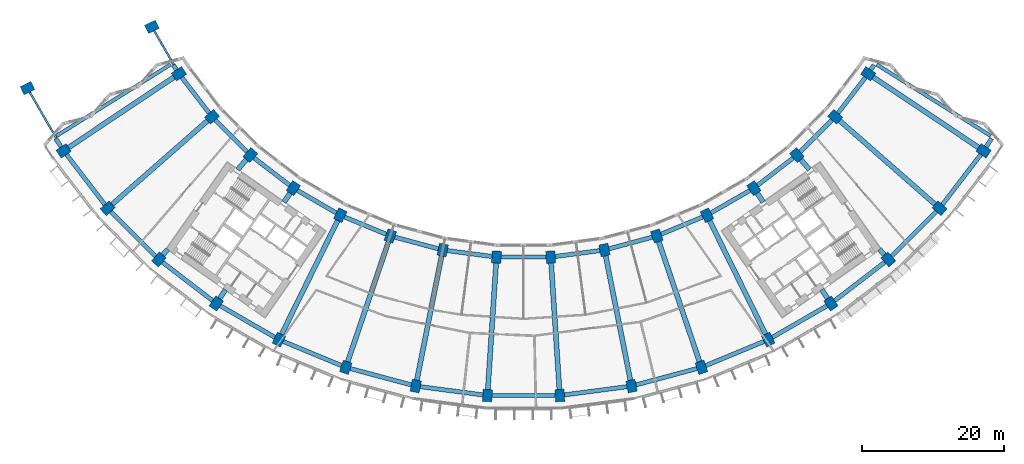
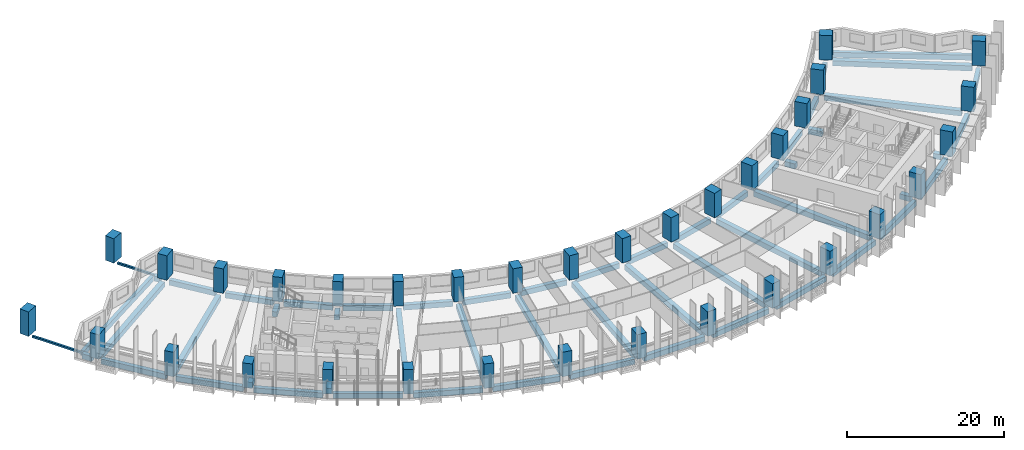
# One storey, part 1 of 31: 56 beams, 34 columns, 2 members.
"""IFC4 building model written with IfcOpenShell, lengths in metres."""

from ifc_helpers import new_model, si_unit, direction, frame, origin, origin_2d, place, context, subcontext, project, spatial, rectangle, hollow_rectangle, extrude, material, material_profile, profile_set, type_object, element, save


model = new_model("IFC4")

# Units and contexts
model_context = context("Model", 3, precision=1e-05, world=origin(), true_north=direction((0.0, 1.0)))
body_context = subcontext(model_context, "Body", "Model", "MODEL_VIEW")
ifc_project = project(units=[si_unit("LENGTHUNIT", "METRE"), si_unit("AREAUNIT", "SQUARE_METRE"), si_unit("VOLUMEUNIT", "CUBIC_METRE"), si_unit("PLANEANGLEUNIT", "RADIAN"), si_unit("MASSUNIT", "GRAM", prefix="KILO")], contexts=[model_context])

# Site, building, storey
site_placement = place(None, origin())
site = spatial("IfcSite", under=ifc_project, at=site_placement, CompositionType="ELEMENT")
building_placement = place(site_placement, origin())
building = spatial("IfcBuilding", under=site, at=building_placement, Name="Qamariyya Broadcast Tower", CompositionType="ELEMENT")
storey_placement = place(building_placement, frame((0.0, 0.0, 55.699951171875)))
storey = spatial("IfcBuildingStorey", under=building, at=storey_placement, Name="L10", CompositionType="ELEMENT", Elevation=55.699951171875)

# Columns
ifc_material_1 = material(Name="Concrete C70/85", Category="concrete")
ifc_material_profile_1 = material_profile(ifc_material_1, rectangle(XDim=1.300048828125, YDim=1.699951171875, at=origin_2d()))
ifc_profile_set_1 = profile_set([ifc_material_profile_1], Name="Concrete C70/85")
column_type = type_object("IfcColumnType", Name="RC column 1300 x 1700 C70/85", PredefinedType="COLUMN", material=ifc_profile_set_1)
for number, where, z_axis, x_axis, name in (
    (1, (-48.43310546875, -32.362060546875, 0.0), (0.0, 0.0, 1.0), (0.55557023302, -0.831469612303, 0.0), "Column C5 L10 B-R03"),
    (2, (-64.646728515625, -43.195556640625, 0.0), (0.0, 0.0, 1.0), (0.55557023302, -0.831469612303, 0.0), "Column C5 L10 C-R03"),
    (3, (-43.794677734375, -38.406982421875, 0.0), (0.0, 0.0, 1.0), (0.6593458151, -0.751839807479, 0.0), "Column C5 L10 B-R04"),
    (4, (-58.45556640625, -51.26416015625, 0.0), (0.0, 0.0, 1.0), (0.6593458151, -0.751839807479, 0.0), "Column C5 L10 C-R04"),
    (5, (-38.406982421875, -43.794677734375, 0.0), (0.0, 0.0, 1.0), (0.751839807479, -0.6593458151, 0.0), "Column C5 L10 B-R05"),
    (6, (-51.26416015625, -58.45556640625, 0.0), (0.0, 0.0, 1.0), (0.751839807479, -0.6593458151, 0.0), "Column C5 L10 C-R05"),
    (7, (-32.362060546875, -48.43310546875, 0.0), (0.0, 0.0, 1.0), (0.831469612303, -0.55557023302, 0.0), "Column C5 L10 B-R06"),
    (8, (-43.195556640625, -64.646728515625, 0.0), (0.0, 0.0, 1.0), (0.831469612303, -0.55557023302, 0.0), "Column C5 L10 C-R06"),
    (9, (-25.763427734375, -52.242919921875, 0.0), (0.0, 0.0, 1.0), (0.896872741533, -0.442288690219, 0.0), "Column C5 L10 B-R07"),
    (10, (-34.387939453125, -69.73193359375, 0.0), (0.0, 0.0, 1.0), (0.896872741533, -0.442288690219, 0.0), "Column C5 L10 C-R07"),
    (11, (-18.723876953125, -55.15869140625, 0.0), (0.0, 0.0, 1.0), (0.946930129495, -0.321439465303, 0.0), "Column C5 L10 B-R08"),
    (12, (-24.991943359375, -73.623779296875, 0.0), (0.0, 0.0, 1.0), (0.946930129495, -0.321439465303, 0.0), "Column C5 L10 C-R08"),
    (13, (-11.364013671875, -57.130859375, 0.0), (0.0, 0.0, 1.0), (0.980785280403, -0.195090322016, 0.0), "Column C5 L10 B-R09"),
    (14, (-15.168212890625, -76.256103515625, 0.0), (0.0, 0.0, 1.0), (0.980785280403, -0.195090322016, 0.0), "Column C5 L10 C-R09"),
    (15, (-3.809814453125, -58.125244140625, 0.0), (0.0, 0.0, 1.0), (0.997858923239, -0.06540312923, 0.0), "Column C5 L10 B-R10"),
    (16, (-5.085205078125, -77.58349609375, 0.0), (0.0, 0.0, 1.0), (0.997858923239, -0.06540312923, 0.0), "Column C5 L10 C-R10"),
    (17, (3.809814453125, -58.125244140625, 0.0), (0.0, 0.0, 1.0), (0.997858923239, 0.06540312923, 0.0), "Column C5 L10 B-R11"),
    (18, (5.085205078125, -77.58349609375, 0.0), (0.0, 0.0, 1.0), (0.997858923239, 0.06540312923, 0.0), "Column C5 L10 C-R11"),
    (19, (11.364013671875, -57.130859375, 0.0), (0.0, 0.0, 1.0), (0.980785280403, 0.195090322016, 0.0), "Column C5 L10 B-R12"),
    (20, (15.168212890625, -76.256103515625, 0.0), (0.0, 0.0, 1.0), (0.980785280403, 0.195090322016, 0.0), "Column C5 L10 C-R12"),
    (21, (18.723876953125, -55.15869140625, 0.0), (0.0, 0.0, 1.0), (0.946930129495, 0.321439465303, 0.0), "Column C5 L10 B-R13"),
    (22, (24.991943359375, -73.623779296875, 0.0), (0.0, 0.0, 1.0), (0.946930129495, 0.321439465303, 0.0), "Column C5 L10 C-R13"),
    (23, (25.763427734375, -52.242919921875, 0.0), (0.0, 0.0, 1.0), (0.896872741533, 0.442288690219, 0.0), "Column C5 L10 B-R14"),
    (24, (34.387939453125, -69.73193359375, 0.0), (0.0, 0.0, 1.0), (0.896872741533, 0.442288690219, 0.0), "Column C5 L10 C-R14"),
    (25, (32.362060546875, -48.43310546875, 0.0), (0.0, 0.0, 1.0), (0.831469612303, 0.55557023302, 0.0), "Column C5 L10 B-R15"),
    (26, (43.195556640625, -64.646728515625, 0.0), (0.0, 0.0, 1.0), (0.831469612303, 0.55557023302, 0.0), "Column C5 L10 C-R15"),
    (27, (38.406982421875, -43.794677734375, 0.0), (0.0, 0.0, 1.0), (0.751839807479, 0.6593458151, 0.0), "Column C5 L10 B-R16"),
    (28, (51.26416015625, -58.45556640625, 0.0), (0.0, 0.0, 1.0), (0.751839807479, 0.6593458151, 0.0), "Column C5 L10 C-R16"),
    (29, (43.794677734375, -38.406982421875, 0.0), (0.0, 0.0, 1.0), (0.6593458151, 0.751839807479, 0.0), "Column C5 L10 B-R17"),
    (30, (58.45556640625, -51.26416015625, 0.0), (0.0, 0.0, 1.0), (0.6593458151, 0.751839807479, 0.0), "Column C5 L10 C-R17"),
    (31, (48.43310546875, -32.362060546875, 0.0), (0.0, 0.0, 1.0), (0.55557023302, 0.831469612303, 0.0), "Column C5 L10 B-R18"),
    (32, (64.646728515625, -43.195556640625, 0.0), (0.0, 0.0, 1.0), (0.55557023302, 0.831469612303, 0.0), "Column C5 L10 C-R18"),
    (33, (-52.242919921875, -25.763427734375, 0.0), (0.0, 0.0, 1.0), (0.442288690219, -0.896872741533, 0.0), "Column C5 L10 B-R02"),
    (34, (-69.73193359375, -34.387939453125, 0.0), (0.0, 0.0, 1.0), (0.442288690219, -0.896872741533, 0.0), "Column C5 L10 C-R02"),
):
    element("IfcColumn", number, at=place(storey_placement, frame(where, z_axis=z_axis, x_axis=x_axis)), inside=storey, type_object=column_type, Name=name, PredefinedType="COLUMN", context=body_context, shape_type="SweptSolid", body=[
        extrude(rectangle(XDim=1.300048828125, YDim=1.699951171875, at=origin_2d()), origin(), (0.0, 0.0, 1.0), 3.800048828125),
    ])

# Members
ifc_material_2 = material(Name="Steel S355", Category="steel")
ifc_material_profile_2 = material_profile(ifc_material_2, hollow_rectangle(XDim=0.300048828125, YDim=0.300048828125, WallThickness=0.012451171875, InnerFilletRadius=0.012451171875, OuterFilletRadius=0.02490234375, at=origin_2d()))
ifc_profile_set_2 = profile_set([ifc_material_profile_2], Name="Steel S355")
member_type = type_object("IfcMemberType", Name="Pylon tie RHS 300x300x12.5", PredefinedType="STRUT", material=ifc_profile_set_2)
member_1_placement = place(storey_placement, frame((-48.7587890625, -31.7978515625, -0.449951171875), z_axis=(-0.500009058987, 0.866020173512, 0.0), x_axis=(-0.866020173512, -0.500009058987, 0.0)))
element("IfcMember", 35, at=member_1_placement, inside=storey, type_object=member_type, Name="Pylon tie T1 L10 B-R02", PredefinedType="STRUT", context=body_context, shape_type="SweptSolid", body=[
    extrude(hollow_rectangle(XDim=0.300048828125, YDim=0.300048828125, WallThickness=0.012451171875, InnerFilletRadius=0.012451171875, OuterFilletRadius=0.02490234375, at=origin_2d()), origin(), (0.0, 0.0, 1.0), 6.31689453125),
])
member_2_placement = place(storey_placement, frame((-64.972412109375, -42.63134765625, -0.449951171875), z_axis=(-0.500021158025, 0.866013187848, 0.0), x_axis=(-0.866013187848, -0.500021158025, 0.0)))
element("IfcMember", 36, at=member_2_placement, inside=storey, type_object=member_type, Name="Pylon tie T1 L10 C-R02", PredefinedType="STRUT", context=body_context, shape_type="SweptSolid", body=[
    extrude(hollow_rectangle(XDim=0.300048828125, YDim=0.300048828125, WallThickness=0.012451171875, InnerFilletRadius=0.012451171875, OuterFilletRadius=0.02490234375, at=origin_2d()), origin(), (0.0, 0.0, 1.0), 8.8671875),
])

# Beams
ifc_material_3 = material(Name="Concrete C50/60", Category="concrete")
ifc_material_profile_3 = material_profile(ifc_material_3, rectangle(XDim=0.60009765625, YDim=0.800048828125, at=origin_2d()))
ifc_profile_set_3 = profile_set([ifc_material_profile_3], Name="Concrete C50/60")
beam_type_1 = type_object("IfcBeamType", Name="RC edge beam 600 x 800 C50/60", PredefinedType="SPANDREL", material=ifc_profile_set_3)
beam_1_placement = place(storey_placement, frame((-48.03662109375, -32.878662109375, -0.699951171875), z_axis=(0.608763348773, -0.7933518672, 0.0), x_axis=(0.7933518672, 0.608763348773, 0.0)))
element("IfcBeam", 37, at=beam_1_placement, inside=storey, type_object=beam_type_1, Name="Edge beam B6 L10 B R03-R04", PredefinedType="SPANDREL", context=body_context, shape_type="SweptSolid", body=[
    extrude(rectangle(XDim=0.60009765625, YDim=0.800048828125, at=origin_2d()), origin(), (0.0, 0.0, 1.0), 6.31689453125),
])
beam_2_placement = place(storey_placement, frame((-43.333984375, -38.867431640625, -0.699951171875), z_axis=(0.707106781187, -0.707106781187, 0.0), x_axis=(0.707106781187, 0.707106781187, 0.0)))
element("IfcBeam", 38, at=beam_2_placement, inside=storey, type_object=beam_type_1, Name="Edge beam B6 L10 B R04-R05", PredefinedType="SPANDREL", context=body_context, shape_type="SweptSolid", body=[
    extrude(rectangle(XDim=0.60009765625, YDim=0.800048828125, at=origin_2d()), origin(), (0.0, 0.0, 1.0), 6.316650390625),
])
for number, where, z_axis, x_axis, name in (
    (39, (-37.89013671875, -44.191162109375, -0.699951171875), (0.7933518672, -0.608763348773, 0.0), (0.608763348773, 0.7933518672, 0.0), "Edge beam B6 L10 B R05-R06"),
    (40, (-31.7978515625, -48.7587890625, -0.699951171875), (0.866020173512, -0.500009058987, 0.0), (0.500009058987, 0.866020173512, 0.0), "Edge beam B6 L10 B R06-R07"),
):
    element("IfcBeam", number, at=place(storey_placement, frame(where, z_axis=z_axis, x_axis=x_axis)), inside=storey, type_object=beam_type_1, Name=name, PredefinedType="SPANDREL", context=body_context, shape_type="SweptSolid", body=[
        extrude(rectangle(XDim=0.60009765625, YDim=0.800048828125, at=origin_2d()), origin(), (0.0, 0.0, 1.0), 6.31689453125),
    ])
for number, where, z_axis, x_axis, name in (
    (41, (-25.16162109375, -52.4921875, -0.699951171875), (0.923884465345, -0.382671523234, 0.0), (0.382671523234, 0.923884465345, 0.0), "Edge beam B6 L10 B R07-R08"),
    (42, (-18.0947265625, -55.327392578125, -0.699951171875), (0.965931490327, -0.258797905699, 0.0), (0.258797905699, 0.965931490327, 0.0), "Edge beam B6 L10 B R08-R09"),
    (43, (-10.71826171875, -57.2158203125, -0.699951171875), (0.991445610946, -0.130520498525, 0.0), (0.130520498525, 0.991445610946, 0.0), "Edge beam B6 L10 B R09-R10"),
):
    element("IfcBeam", number, at=place(storey_placement, frame(where, z_axis=z_axis, x_axis=x_axis)), inside=storey, type_object=beam_type_1, Name=name, PredefinedType="SPANDREL", context=body_context, shape_type="SweptSolid", body=[
        extrude(rectangle(XDim=0.60009765625, YDim=0.800048828125, at=origin_2d()), origin(), (0.0, 0.0, 1.0), 6.316650390625),
    ])
beam_3_placement = place(storey_placement, frame((-3.158447265625, -58.125244140625, -0.699951171875), z_axis=(1.0, 0.0, 0.0), x_axis=(0.0, 1.0, 0.0)))
element("IfcBeam", 44, at=beam_3_placement, inside=storey, type_object=beam_type_1, Name="Edge beam B6 L10 B R10-R11", PredefinedType="SPANDREL", context=body_context, shape_type="SweptSolid", body=[
    extrude(rectangle(XDim=0.60009765625, YDim=0.800048828125, at=origin_2d()), origin(), (0.0, 0.0, 1.0), 6.31689453125),
])
for number, where, z_axis, x_axis, name in (
    (45, (4.45556640625, -58.040283203125, -0.699951171875), (0.991445610946, 0.130520498525, 0.0), (-0.130520498525, 0.991445610946, 0.0), "Edge beam B6 L10 B R11-R12"),
    (46, (11.9931640625, -56.962158203125, -0.699951171875), (0.965931490327, 0.258797905699, 0.0), (-0.258797905699, 0.965931490327, 0.0), "Edge beam B6 L10 B R12-R13"),
    (47, (19.32568359375, -54.909423828125, -0.699951171875), (0.923884465345, 0.382671523234, 0.0), (-0.382671523234, 0.923884465345, 0.0), "Edge beam B6 L10 B R13-R14"),
):
    element("IfcBeam", number, at=place(storey_placement, frame(where, z_axis=z_axis, x_axis=x_axis)), inside=storey, type_object=beam_type_1, Name=name, PredefinedType="SPANDREL", context=body_context, shape_type="SweptSolid", body=[
        extrude(rectangle(XDim=0.60009765625, YDim=0.800048828125, at=origin_2d()), origin(), (0.0, 0.0, 1.0), 6.316650390625),
    ])
for number, where, z_axis, x_axis, name in (
    (48, (26.327392578125, -51.917236328125, -0.699951171875), (0.866020173512, 0.500009058987, 0.0), (-0.500009058987, 0.866020173512, 0.0), "Edge beam B6 L10 B R14-R15"),
    (49, (32.878662109375, -48.03662109375, -0.699951171875), (0.7933518672, 0.608763348773, 0.0), (-0.608763348773, 0.7933518672, 0.0), "Edge beam B6 L10 B R15-R16"),
):
    element("IfcBeam", number, at=place(storey_placement, frame(where, z_axis=z_axis, x_axis=x_axis)), inside=storey, type_object=beam_type_1, Name=name, PredefinedType="SPANDREL", context=body_context, shape_type="SweptSolid", body=[
        extrude(rectangle(XDim=0.60009765625, YDim=0.800048828125, at=origin_2d()), origin(), (0.0, 0.0, 1.0), 6.31689453125),
    ])
beam_4_placement = place(storey_placement, frame((38.867431640625, -43.333984375, -0.699951171875), z_axis=(0.707106781187, 0.707106781187, 0.0), x_axis=(-0.707106781187, 0.707106781187, 0.0)))
element("IfcBeam", 50, at=beam_4_placement, inside=storey, type_object=beam_type_1, Name="Edge beam B6 L10 B R16-R17", PredefinedType="SPANDREL", context=body_context, shape_type="SweptSolid", body=[
    extrude(rectangle(XDim=0.60009765625, YDim=0.800048828125, at=origin_2d()), origin(), (0.0, 0.0, 1.0), 6.316650390625),
])
beam_5_placement = place(storey_placement, frame((44.191162109375, -37.89013671875, -0.699951171875), z_axis=(0.608763348773, 0.7933518672, 0.0), x_axis=(-0.7933518672, 0.608763348773, 0.0)))
element("IfcBeam", 51, at=beam_5_placement, inside=storey, type_object=beam_type_1, Name="Edge beam B6 L10 B R17-R18", PredefinedType="SPANDREL", context=body_context, shape_type="SweptSolid", body=[
    extrude(rectangle(XDim=0.60009765625, YDim=0.800048828125, at=origin_2d()), origin(), (0.0, 0.0, 1.0), 6.31689453125),
])
beam_6_placement = place(storey_placement, frame((-64.250244140625, -43.71240234375, -0.699951171875), z_axis=(0.608769622928, -0.793347052809, 0.0), x_axis=(0.793347052809, 0.608769622928, 0.0)))
element("IfcBeam", 52, at=beam_6_placement, inside=storey, type_object=beam_type_1, Name="Edge beam B6 L10 C R03-R04", PredefinedType="SPANDREL", context=body_context, shape_type="SweptSolid", body=[
    extrude(rectangle(XDim=0.60009765625, YDim=0.800048828125, at=origin_2d()), origin(), (0.0, 0.0, 1.0), 8.867431640625),
])
beam_7_placement = place(storey_placement, frame((-57.994873046875, -51.724853515625, -0.699951171875), z_axis=(0.707106781187, -0.707106781187, 0.0), x_axis=(0.707106781187, 0.707106781187, 0.0)))
element("IfcBeam", 53, at=beam_7_placement, inside=storey, type_object=beam_type_1, Name="Edge beam B6 L10 C R04-R05", PredefinedType="SPANDREL", context=body_context, shape_type="SweptSolid", body=[
    extrude(rectangle(XDim=0.60009765625, YDim=0.800048828125, at=origin_2d()), origin(), (0.0, 0.0, 1.0), 8.8671875),
])
beam_8_placement = place(storey_placement, frame((-50.747314453125, -58.85205078125, -0.699951171875), z_axis=(0.793347052809, -0.608769622928, 0.0), x_axis=(0.608769622928, 0.793347052809, 0.0)))
element("IfcBeam", 54, at=beam_8_placement, inside=storey, type_object=beam_type_1, Name="Edge beam B6 L10 C R05-R06", PredefinedType="SPANDREL", context=body_context, shape_type="SweptSolid", body=[
    extrude(rectangle(XDim=0.60009765625, YDim=0.800048828125, at=origin_2d()), origin(), (0.0, 0.0, 1.0), 8.867431640625),
])
beam_9_placement = place(storey_placement, frame((-42.63134765625, -64.972412109375, -0.699951171875), z_axis=(0.866013187848, -0.500021158025, 0.0), x_axis=(0.500021158025, 0.866013187848, 0.0)))
element("IfcBeam", 55, at=beam_9_placement, inside=storey, type_object=beam_type_1, Name="Edge beam B6 L10 C R06-R07", PredefinedType="SPANDREL", context=body_context, shape_type="SweptSolid", body=[
    extrude(rectangle(XDim=0.60009765625, YDim=0.800048828125, at=origin_2d()), origin(), (0.0, 0.0, 1.0), 8.8671875),
])
for number, where, z_axis, x_axis, name in (
    (56, (-33.7861328125, -69.981201171875, -0.699951171875), (0.923882942367, -0.382675200142, 0.0), (0.382675200142, 0.923882942367, 0.0), "Edge beam B6 L10 C R07-R08"),
    (57, (-24.36279296875, -73.79248046875, -0.699951171875), (0.965930847021, -0.258800306749, 0.0), (0.258800306749, 0.965930847021, 0.0), "Edge beam B6 L10 C R08-R09"),
    (58, (-14.5224609375, -76.341064453125, -0.699951171875), (0.991444171706, -0.13053143066, 0.0), (0.13053143066, 0.991444171706, 0.0), "Edge beam B6 L10 C R09-R10"),
):
    element("IfcBeam", number, at=place(storey_placement, frame(where, z_axis=z_axis, x_axis=x_axis)), inside=storey, type_object=beam_type_1, Name=name, PredefinedType="SPANDREL", context=body_context, shape_type="SweptSolid", body=[
        extrude(rectangle(XDim=0.60009765625, YDim=0.800048828125, at=origin_2d()), origin(), (0.0, 0.0, 1.0), 8.867431640625),
    ])
beam_10_placement = place(storey_placement, frame((-4.43359375, -77.58349609375, -0.699951171875), z_axis=(1.0, 0.0, 0.0), x_axis=(0.0, 1.0, 0.0)))
element("IfcBeam", 59, at=beam_10_placement, inside=storey, type_object=beam_type_1, Name="Edge beam B6 L10 C R10-R11", PredefinedType="SPANDREL", context=body_context, shape_type="SweptSolid", body=[
    extrude(rectangle(XDim=0.60009765625, YDim=0.800048828125, at=origin_2d()), origin(), (0.0, 0.0, 1.0), 8.8671875),
])
for number, where, z_axis, x_axis, name in (
    (60, (5.73095703125, -77.49853515625, -0.699951171875), (0.991444171706, 0.13053143066, 0.0), (-0.13053143066, 0.991444171706, 0.0), "Edge beam B6 L10 C R11-R12"),
    (61, (15.79736328125, -76.08740234375, -0.699951171875), (0.965930847021, 0.258800306749, 0.0), (-0.258800306749, 0.965930847021, 0.0), "Edge beam B6 L10 C R12-R13"),
    (62, (25.59375, -73.37451171875, -0.699951171875), (0.923882942367, 0.382675200142, 0.0), (-0.382675200142, 0.923882942367, 0.0), "Edge beam B6 L10 C R13-R14"),
):
    element("IfcBeam", number, at=place(storey_placement, frame(where, z_axis=z_axis, x_axis=x_axis)), inside=storey, type_object=beam_type_1, Name=name, PredefinedType="SPANDREL", context=body_context, shape_type="SweptSolid", body=[
        extrude(rectangle(XDim=0.60009765625, YDim=0.800048828125, at=origin_2d()), origin(), (0.0, 0.0, 1.0), 8.867431640625),
    ])
beam_11_placement = place(storey_placement, frame((34.9521484375, -69.40625, -0.699951171875), z_axis=(0.866013187848, 0.500021158025, 0.0), x_axis=(-0.500021158025, 0.866013187848, 0.0)))
element("IfcBeam", 63, at=beam_11_placement, inside=storey, type_object=beam_type_1, Name="Edge beam B6 L10 C R14-R15", PredefinedType="SPANDREL", context=body_context, shape_type="SweptSolid", body=[
    extrude(rectangle(XDim=0.60009765625, YDim=0.800048828125, at=origin_2d()), origin(), (0.0, 0.0, 1.0), 8.8671875),
])
beam_12_placement = place(storey_placement, frame((43.71240234375, -64.250244140625, -0.699951171875), z_axis=(0.793347052809, 0.608769622928, 0.0), x_axis=(-0.608769622928, 0.793347052809, 0.0)))
element("IfcBeam", 64, at=beam_12_placement, inside=storey, type_object=beam_type_1, Name="Edge beam B6 L10 C R15-R16", PredefinedType="SPANDREL", context=body_context, shape_type="SweptSolid", body=[
    extrude(rectangle(XDim=0.60009765625, YDim=0.800048828125, at=origin_2d()), origin(), (0.0, 0.0, 1.0), 8.867431640625),
])
beam_13_placement = place(storey_placement, frame((51.724853515625, -57.994873046875, -0.699951171875), z_axis=(0.707106781187, 0.707106781187, 0.0), x_axis=(-0.707106781187, 0.707106781187, 0.0)))
element("IfcBeam", 65, at=beam_13_placement, inside=storey, type_object=beam_type_1, Name="Edge beam B6 L10 C R16-R17", PredefinedType="SPANDREL", context=body_context, shape_type="SweptSolid", body=[
    extrude(rectangle(XDim=0.60009765625, YDim=0.800048828125, at=origin_2d()), origin(), (0.0, 0.0, 1.0), 8.8671875),
])
beam_14_placement = place(storey_placement, frame((58.85205078125, -50.747314453125, -0.699951171875), z_axis=(0.608769622928, 0.793347052809, 0.0), x_axis=(-0.793347052809, 0.608769622928, 0.0)))
element("IfcBeam", 66, at=beam_14_placement, inside=storey, type_object=beam_type_1, Name="Edge beam B6 L10 C R17-R18", PredefinedType="SPANDREL", context=body_context, shape_type="SweptSolid", body=[
    extrude(rectangle(XDim=0.60009765625, YDim=0.800048828125, at=origin_2d()), origin(), (0.0, 0.0, 1.0), 8.867431640625),
])
ifc_material_profile_4 = material_profile(ifc_material_3, rectangle(XDim=0.60009765625, YDim=0.800048828125, at=origin_2d()))
ifc_profile_set_4 = profile_set([ifc_material_profile_4], Name="Concrete C50/60")
beam_type_2 = type_object("IfcBeamType", Name="RC horn beam 600 x 800 C50/60", PredefinedType="BEAM", material=ifc_profile_set_4)
beam_15_placement = place(storey_placement, frame((-48.7861328125, -31.816162109375, -0.699951171875), z_axis=(-0.543093456906, 0.839672255744, 0.0), x_axis=(-0.839672255744, -0.543093456906, 0.0)))
element("IfcBeam", 67, at=beam_15_placement, inside=storey, type_object=beam_type_2, Name="Horn beam B7 L10 W B-R03", PredefinedType="BEAM", context=body_context, shape_type="SweptSolid", body=[
    extrude(rectangle(XDim=0.60009765625, YDim=0.800048828125, at=origin_2d()), origin(), (0.0, 0.0, 1.0), 0.833984375),
])
beam_16_placement = place(storey_placement, frame((-64.999755859375, -42.649658203125, -0.699951171875), z_axis=(-0.543215491885, 0.839593311893, 0.0), x_axis=(-0.839593311893, -0.543215491885, 0.0)))
element("IfcBeam", 68, at=beam_16_placement, inside=storey, type_object=beam_type_2, Name="Horn beam B7 L10 W C-R03", PredefinedType="BEAM", context=body_context, shape_type="SweptSolid", body=[
    extrude(rectangle(XDim=0.60009765625, YDim=0.800048828125, at=origin_2d()), origin(), (0.0, 0.0, 1.0), 1.414306640625),
])
beam_17_placement = place(storey_placement, frame((48.7861328125, -31.816162109375, -0.699951171875), z_axis=(0.543093456906, 0.839672255744, 0.0), x_axis=(-0.839672255744, 0.543093456906, 0.0)))
element("IfcBeam", 69, at=beam_17_placement, inside=storey, type_object=beam_type_2, Name="Horn beam B7 L10 E B-R18", PredefinedType="BEAM", context=body_context, shape_type="SweptSolid", body=[
    extrude(rectangle(XDim=0.60009765625, YDim=0.800048828125, at=origin_2d()), origin(), (0.0, 0.0, 1.0), 0.833984375),
])
beam_18_placement = place(storey_placement, frame((64.999755859375, -42.649658203125, -0.699951171875), z_axis=(0.543215491885, 0.839593311893, 0.0), x_axis=(-0.839593311893, 0.543215491885, 0.0)))
element("IfcBeam", 70, at=beam_18_placement, inside=storey, type_object=beam_type_2, Name="Horn beam B7 L10 E C-R18", PredefinedType="BEAM", context=body_context, shape_type="SweptSolid", body=[
    extrude(rectangle(XDim=0.60009765625, YDim=0.800048828125, at=origin_2d()), origin(), (0.0, 0.0, 1.0), 1.414306640625),
])
ifc_material_profile_5 = material_profile(ifc_material_3, rectangle(XDim=0.5, YDim=0.800048828125, at=origin_2d()))
ifc_profile_set_5 = profile_set([ifc_material_profile_5], Name="Concrete C50/60")
beam_type_3 = type_object("IfcBeamType", Name="RC horn cap beam 500 x 800 C50/60", PredefinedType="BEAM", material=ifc_profile_set_5)
for number, where, z_axis, x_axis, name in (
    (71, (-49.629150390625, -31.065185546875, -0.699951171875), (-0.847631622425, -0.530585179462, 0.0), (0.530585179462, -0.847631622425, 0.0), "Horn cap beam B8 L10 W B-C"),
    (72, (49.629150390625, -31.065185546875, -0.699951171875), (0.847631622425, -0.530585179462, 0.0), (0.530585179462, 0.847631622425, 0.0), "Horn cap beam B8 L10 E B-C"),
):
    element("IfcBeam", number, at=place(storey_placement, frame(where, z_axis=z_axis, x_axis=x_axis)), inside=storey, type_object=beam_type_3, Name=name, PredefinedType="BEAM", context=body_context, shape_type="SweptSolid", body=[
        extrude(rectangle(XDim=0.5, YDim=0.800048828125, at=origin_2d()), origin(), (0.0, 0.0, 1.0), 18.900146484375),
    ])
ifc_material_profile_6 = material_profile(ifc_material_3, rectangle(XDim=0.699951171875, YDim=0.800048828125, at=origin_2d()))
ifc_profile_set_6 = profile_set([ifc_material_profile_6], Name="Concrete C50/60")
beam_type_4 = type_object("IfcBeamType", Name="RC radial beam 700 x 800 C50/60", PredefinedType="BEAM", material=ifc_profile_set_6)
for number, where, z_axis, x_axis, name in (
    (73, (-49.139892578125, -32.834228515625, -0.699951171875), (-0.831467440413, -0.555573483469, 0.0), (0.555573483469, -0.831467440413, 0.0), "Radial beam B5 L10 R03 B-C"),
    (74, (-44.433837890625, -38.96728515625, -0.699951171875), (-0.751836168626, -0.659349964393, 0.0), (0.659349964393, -0.751836168626, 0.0), "Radial beam B5 L10 R04 B-C"),
):
    element("IfcBeam", number, at=place(storey_placement, frame(where, z_axis=z_axis, x_axis=x_axis)), inside=storey, type_object=beam_type_4, Name=name, PredefinedType="BEAM", context=body_context, shape_type="SweptSolid", body=[
        extrude(rectangle(XDim=0.699951171875, YDim=0.800048828125, at=origin_2d()), origin(), (0.0, 0.0, 1.0), 17.7998046875),
    ])
beam_19_placement = place(storey_placement, frame((-38.96728515625, -44.433837890625, -0.699951171875), z_axis=(-0.659385827408, -0.751804715743, 0.0), x_axis=(0.751804715743, -0.659385827408, 0.0)))
element("IfcBeam", 75, at=beam_19_placement, inside=storey, type_object=beam_type_4, Name="Radial beam B5 L10 R05 B-C", PredefinedType="BEAM", context=body_context, shape_type="SweptSolid", body=[
    extrude(rectangle(XDim=0.699951171875, YDim=0.800048828125, at=origin_2d()), origin(), (0.0, 0.0, 1.0), 1.8623046875),
])
beam_20_placement = place(storey_placement, frame((-50.011962890625, -57.027587890625, -0.699951171875), z_axis=(-0.659278599496, -0.751898748667, 0.0), x_axis=(0.751898748667, -0.659278599496, 0.0)))
element("IfcBeam", 76, at=beam_20_placement, inside=storey, type_object=beam_type_4, Name="Radial beam B5 L10 R05 B-C", PredefinedType="BEAM", context=body_context, shape_type="SweptSolid", body=[
    extrude(rectangle(XDim=0.699951171875, YDim=0.800048828125, at=origin_2d()), origin(), (0.0, 0.0, 1.0), 1.049072265625),
])
beam_21_placement = place(storey_placement, frame((-32.834228515625, -49.139892578125, -0.699951171875), z_axis=(-0.555518362002, -0.831504269068, 0.0), x_axis=(0.831504269068, -0.555518362002, 0.0)))
element("IfcBeam", 77, at=beam_21_placement, inside=storey, type_object=beam_type_4, Name="Radial beam B5 L10 R06 B-C", PredefinedType="BEAM", context=body_context, shape_type="SweptSolid", body=[
    extrude(rectangle(XDim=0.699951171875, YDim=0.800048828125, at=origin_2d()), origin(), (0.0, 0.0, 1.0), 1.514404296875),
])
beam_22_placement = place(storey_placement, frame((-41.89990234375, -62.707763671875, -0.699951171875), z_axis=(-0.555650227013, -0.831416156459, 0.0), x_axis=(0.831416156459, -0.555650227013, 0.0)))
element("IfcBeam", 78, at=beam_22_placement, inside=storey, type_object=beam_type_4, Name="Radial beam B5 L10 R06 B-C", PredefinedType="BEAM", context=body_context, shape_type="SweptSolid", body=[
    extrude(rectangle(XDim=0.699951171875, YDim=0.800048828125, at=origin_2d()), origin(), (0.0, 0.0, 1.0), 1.48193359375),
])
beam_23_placement = place(storey_placement, frame((-26.13916015625, -53.005126953125, -0.699951171875), z_axis=(-0.442291123934, -0.896871541353, 0.0), x_axis=(0.896871541353, -0.442291123934, 0.0)))
element("IfcBeam", 79, at=beam_23_placement, inside=storey, type_object=beam_type_4, Name="Radial beam B5 L10 R07 B-C", PredefinedType="BEAM", context=body_context, shape_type="SweptSolid", body=[
    extrude(rectangle(XDim=0.699951171875, YDim=0.800048828125, at=origin_2d()), origin(), (0.0, 0.0, 1.0), 17.800048828125),
])
beam_24_placement = place(storey_placement, frame((-18.9970703125, -55.963623046875, -0.699951171875), z_axis=(-0.321444599042, -0.94692838681, 0.0), x_axis=(0.94692838681, -0.321444599042, 0.0)))
element("IfcBeam", 80, at=beam_24_placement, inside=storey, type_object=beam_type_4, Name="Radial beam B5 L10 R08 B-C", PredefinedType="BEAM", context=body_context, shape_type="SweptSolid", body=[
    extrude(rectangle(XDim=0.699951171875, YDim=0.800048828125, at=origin_2d()), origin(), (0.0, 0.0, 1.0), 17.7998046875),
])
for number, where, z_axis, x_axis, name in (
    (81, (-11.52978515625, -57.96435546875, -0.699951171875), (-0.19509262344, -0.980784822619, 0.0), (0.980784822619, -0.19509262344, 0.0), "Radial beam B5 L10 R09 B-C"),
    (82, (-3.865234375, -58.973388671875, -0.699951171875), (-0.0654101824, -0.997858460924, 0.0), (0.997858460924, -0.0654101824, 0.0), "Radial beam B5 L10 R10 B-C"),
    (83, (3.865234375, -58.973388671875, -0.699951171875), (0.0654101824, -0.997858460924, 0.0), (0.997858460924, 0.0654101824, 0.0), "Radial beam B5 L10 R11 B-C"),
    (84, (11.52978515625, -57.96435546875, -0.699951171875), (0.19509262344, -0.980784822619, 0.0), (0.980784822619, 0.19509262344, 0.0), "Radial beam B5 L10 R12 B-C"),
):
    element("IfcBeam", number, at=place(storey_placement, frame(where, z_axis=z_axis, x_axis=x_axis)), inside=storey, type_object=beam_type_4, Name=name, PredefinedType="BEAM", context=body_context, shape_type="SweptSolid", body=[
        extrude(rectangle(XDim=0.699951171875, YDim=0.800048828125, at=origin_2d()), origin(), (0.0, 0.0, 1.0), 17.800048828125),
    ])
beam_25_placement = place(storey_placement, frame((18.9970703125, -55.963623046875, -0.699951171875), z_axis=(0.321444599042, -0.94692838681, 0.0), x_axis=(0.94692838681, 0.321444599042, 0.0)))
element("IfcBeam", 85, at=beam_25_placement, inside=storey, type_object=beam_type_4, Name="Radial beam B5 L10 R13 B-C", PredefinedType="BEAM", context=body_context, shape_type="SweptSolid", body=[
    extrude(rectangle(XDim=0.699951171875, YDim=0.800048828125, at=origin_2d()), origin(), (0.0, 0.0, 1.0), 17.7998046875),
])
beam_26_placement = place(storey_placement, frame((26.13916015625, -53.005126953125, -0.699951171875), z_axis=(0.442291123934, -0.896871541353, 0.0), x_axis=(0.896871541353, 0.442291123934, 0.0)))
element("IfcBeam", 86, at=beam_26_placement, inside=storey, type_object=beam_type_4, Name="Radial beam B5 L10 R14 B-C", PredefinedType="BEAM", context=body_context, shape_type="SweptSolid", body=[
    extrude(rectangle(XDim=0.699951171875, YDim=0.800048828125, at=origin_2d()), origin(), (0.0, 0.0, 1.0), 17.800048828125),
])
beam_27_placement = place(storey_placement, frame((32.834228515625, -49.139892578125, -0.699951171875), z_axis=(0.555518362002, -0.831504269068, 0.0), x_axis=(0.831504269068, 0.555518362002, 0.0)))
element("IfcBeam", 87, at=beam_27_placement, inside=storey, type_object=beam_type_4, Name="Radial beam B5 L10 R15 B-C", PredefinedType="BEAM", context=body_context, shape_type="SweptSolid", body=[
    extrude(rectangle(XDim=0.699951171875, YDim=0.800048828125, at=origin_2d()), origin(), (0.0, 0.0, 1.0), 1.514404296875),
])
beam_28_placement = place(storey_placement, frame((41.89990234375, -62.707763671875, -0.699951171875), z_axis=(0.555650227013, -0.831416156459, 0.0), x_axis=(0.831416156459, 0.555650227013, 0.0)))
element("IfcBeam", 88, at=beam_28_placement, inside=storey, type_object=beam_type_4, Name="Radial beam B5 L10 R15 B-C", PredefinedType="BEAM", context=body_context, shape_type="SweptSolid", body=[
    extrude(rectangle(XDim=0.699951171875, YDim=0.800048828125, at=origin_2d()), origin(), (0.0, 0.0, 1.0), 1.48193359375),
])
beam_29_placement = place(storey_placement, frame((38.96728515625, -44.433837890625, -0.699951171875), z_axis=(0.659385827408, -0.751804715743, 0.0), x_axis=(0.751804715743, 0.659385827408, 0.0)))
element("IfcBeam", 89, at=beam_29_placement, inside=storey, type_object=beam_type_4, Name="Radial beam B5 L10 R16 B-C", PredefinedType="BEAM", context=body_context, shape_type="SweptSolid", body=[
    extrude(rectangle(XDim=0.699951171875, YDim=0.800048828125, at=origin_2d()), origin(), (0.0, 0.0, 1.0), 1.8623046875),
])
beam_30_placement = place(storey_placement, frame((50.011962890625, -57.027587890625, -0.699951171875), z_axis=(0.659278599496, -0.751898748667, 0.0), x_axis=(0.751898748667, 0.659278599496, 0.0)))
element("IfcBeam", 90, at=beam_30_placement, inside=storey, type_object=beam_type_4, Name="Radial beam B5 L10 R16 B-C", PredefinedType="BEAM", context=body_context, shape_type="SweptSolid", body=[
    extrude(rectangle(XDim=0.699951171875, YDim=0.800048828125, at=origin_2d()), origin(), (0.0, 0.0, 1.0), 1.049072265625),
])
for number, where, z_axis, x_axis, name in (
    (91, (44.433837890625, -38.96728515625, -0.699951171875), (0.751836168626, -0.659349964393, 0.0), (0.659349964393, 0.751836168626, 0.0), "Radial beam B5 L10 R17 B-C"),
    (92, (49.139892578125, -32.834228515625, -0.699951171875), (0.831467440413, -0.555573483469, 0.0), (0.555573483469, 0.831467440413, 0.0), "Radial beam B5 L10 R18 B-C"),
):
    element("IfcBeam", number, at=place(storey_placement, frame(where, z_axis=z_axis, x_axis=x_axis)), inside=storey, type_object=beam_type_4, Name=name, PredefinedType="BEAM", context=body_context, shape_type="SweptSolid", body=[
        extrude(rectangle(XDim=0.699951171875, YDim=0.800048828125, at=origin_2d()), origin(), (0.0, 0.0, 1.0), 17.7998046875),
    ])

save(model, "model.ifc")
